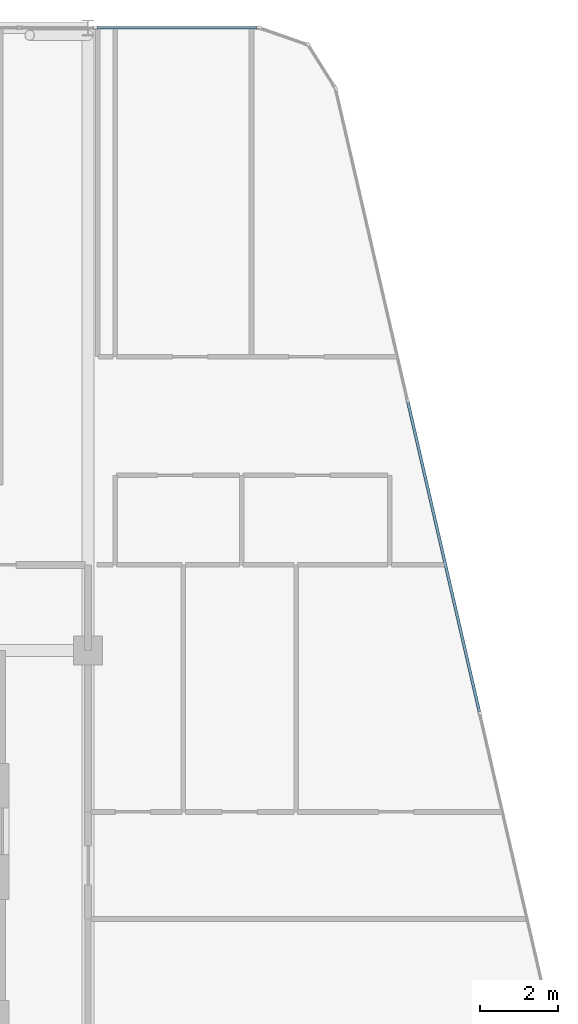
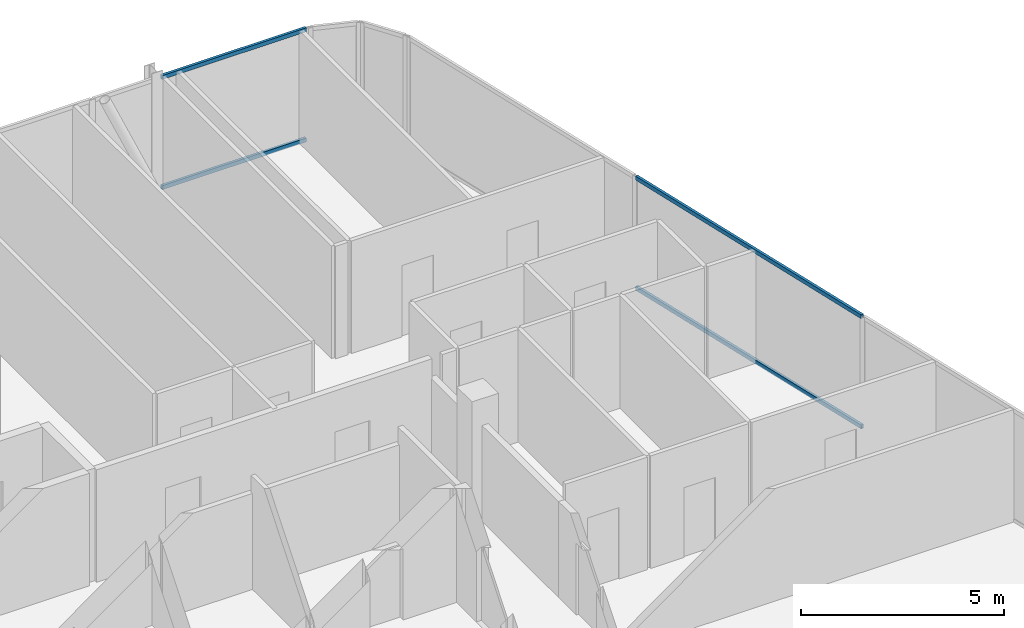
# One storey, part 18 of 27: 4 members, 2 elements without a shape of their own.
"""IFC4 building model written with IfcOpenShell, lengths in metres."""

from ifc_helpers import new_model, si_unit, direction, frame, origin, origin_2d, place, context, subcontext, project, spatial, hollow_rectangle, extrude, material, layer, layer_set, material_profile, profile_set, type_object, element, aggregate, save


model = new_model("IFC4")

# Units and contexts
model_context = context("Model", 3, precision=1e-05, world=origin(), true_north=direction((0.0, 1.0)))
body_context = subcontext(model_context, "Body", "Model", "MODEL_VIEW")
ifc_project = project(units=[si_unit("LENGTHUNIT", "METRE"), si_unit("AREAUNIT", "SQUARE_METRE"), si_unit("VOLUMEUNIT", "CUBIC_METRE"), si_unit("PLANEANGLEUNIT", "RADIAN"), si_unit("MASSUNIT", "GRAM", prefix="KILO")], contexts=[model_context])

# Site, building, storey
site_placement = place(None, origin())
site = spatial("IfcSite", under=ifc_project, at=site_placement, CompositionType="ELEMENT")
building_placement = place(site_placement, origin())
building = spatial("IfcBuilding", under=site, at=building_placement, Name="Keshet Zoharim Tower", CompositionType="ELEMENT")
storey_placement = place(building_placement, frame((0.0, 0.0, 269.5)))
storey = spatial("IfcBuildingStorey", under=building, at=storey_placement, Name="L67", CompositionType="ELEMENT", Elevation=269.5)

# Curtain wall, members
ifc_material = material(Name="Aluminium 6063-T6", Category="aluminium")
ifc_layer = layer(ifc_material, 0.260009765625)
ifc_layer_set = layer_set([ifc_layer], Name="Aluminium 6063-T6")
curtain_wall_type = type_object("IfcCurtainWallType", Name="CW-SYS-06", PredefinedType="NOTDEFINED", material=ifc_layer_set)
curtain_wall_1_placement = place(storey_placement, origin())
curtain_wall_1 = element("IfcCurtainWall", 1, at=curtain_wall_1_placement, inside=storey, type_object=curtain_wall_type, Name="L67 Unitised Curtain Wall 06 Part 5", PredefinedType="NOTDEFINED")
ifc_material_profile = material_profile(ifc_material, hollow_rectangle(XDim=0.074951171875, YDim=0.1201171875, WallThickness=0.00390625, at=origin_2d()), Name="TRN-75x120")
ifc_profile_set = profile_set([ifc_material_profile], Name="Aluminium 6063-T6")
member_type = type_object("IfcMemberType", Name="CWT-T12", PredefinedType="USERDEFINED", material=ifc_profile_set)
member_1_placement = place(storey_placement, frame((33.224853515625, 53.89990234375, 0.034912109375), z_axis=(1.0, 0.0, 0.0), x_axis=(0.0, 1.0, 0.0)))
member_1 = element("IfcMember", 2, at=member_1_placement, type_object=member_type, Name="CW-06 transom 1.1", ObjectType="TRANSOM", PredefinedType="USERDEFINED", context=body_context, shape_type="SweptSolid", body=[
    extrude(hollow_rectangle(XDim=0.074951171875, YDim=0.1201171875, WallThickness=0.00390625, at=origin_2d()), origin(), (0.0, 0.0, 1.0), 4.1142578125),
])
member_2_placement = place(storey_placement, frame((33.224853515625, 53.89990234375, 3.35498046875), z_axis=(1.0, 0.0, 0.0), x_axis=(0.0, 1.0, 0.0)))
member_2 = element("IfcMember", 3, at=member_2_placement, type_object=member_type, Name="CW-06 transom 1.2", ObjectType="TRANSOM", PredefinedType="USERDEFINED", context=body_context, shape_type="SweptSolid", body=[
    extrude(hollow_rectangle(XDim=0.074951171875, YDim=0.1201171875, WallThickness=0.00390625, at=origin_2d()), origin(), (0.0, 0.0, 1.0), 4.1142578125),
])
aggregate(curtain_wall_1, [member_1, member_2])

curtain_wall_2_placement = place(storey_placement, origin())
curtain_wall_2 = element("IfcCurtainWall", 4, at=curtain_wall_2_placement, inside=storey, type_object=curtain_wall_type, Name="L67 Unitised Curtain Wall 09", PredefinedType="NOTDEFINED")
member_3_placement = place(storey_placement, frame((41.218505859375, 44.28662109375, 0.034912109375), z_axis=(0.224826771459, -0.974398749402, 0.0), x_axis=(0.974398749402, 0.224826771459, 0.0)))
member_3 = element("IfcMember", 5, at=member_3_placement, type_object=member_type, Name="CW-06 transom 2.1", ObjectType="TRANSOM", PredefinedType="USERDEFINED", context=body_context, shape_type="SweptSolid", body=[
    extrude(hollow_rectangle(XDim=0.074951171875, YDim=0.1201171875, WallThickness=0.00390625, at=origin_2d()), origin(), (0.0, 0.0, 1.0), 8.17041015625),
])
member_4_placement = place(storey_placement, frame((41.218505859375, 44.28662109375, 3.35498046875), z_axis=(0.224826771459, -0.974398749402, 0.0), x_axis=(0.974398749402, 0.224826771459, 0.0)))
member_4 = element("IfcMember", 6, at=member_4_placement, type_object=member_type, Name="CW-06 transom 2.2", ObjectType="TRANSOM", PredefinedType="USERDEFINED", context=body_context, shape_type="SweptSolid", body=[
    extrude(hollow_rectangle(XDim=0.074951171875, YDim=0.1201171875, WallThickness=0.00390625, at=origin_2d()), origin(), (0.0, 0.0, 1.0), 8.17041015625),
])
aggregate(curtain_wall_2, [member_3, member_4])

save(model, "model.ifc")
